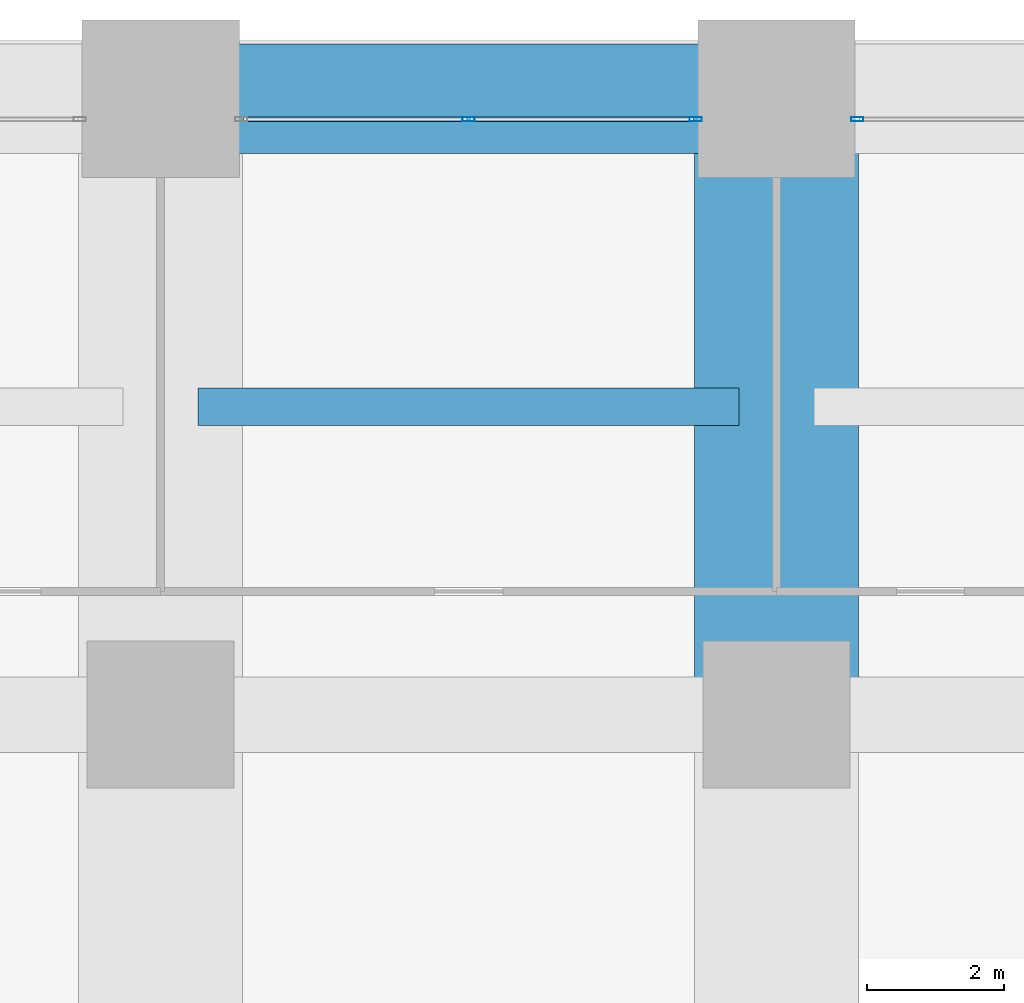
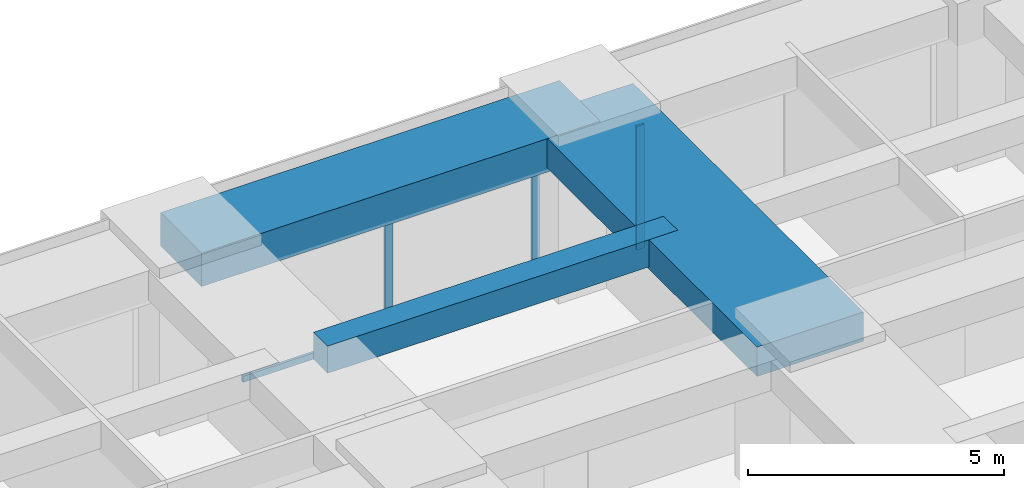
# One storey, part 35 of 44: 4 members, 3 beams, 2 elements without a shape of their own.
"""IFC4 building model written with IfcOpenShell, lengths in metres."""

from ifc_helpers import new_model, si_unit, direction, frame, origin, origin_2d, place, context, subcontext, project, spatial, rectangle, hollow_rectangle, extrude, material, material_profile, profile_set, type_object, element, aggregate, save


model = new_model("IFC4")

# Units and contexts
model_context = context("Model", 3, precision=1e-05, world=origin(), true_north=direction((0.0, 1.0)))
body_context = subcontext(model_context, "Body", "Model", "MODEL_VIEW")
ifc_project = project(units=[si_unit("LENGTHUNIT", "METRE"), si_unit("AREAUNIT", "SQUARE_METRE"), si_unit("VOLUMEUNIT", "CUBIC_METRE"), si_unit("PLANEANGLEUNIT", "RADIAN"), si_unit("MASSUNIT", "GRAM", prefix="KILO")], contexts=[model_context])

# Site, building, storey
site_placement = place(None, origin())
site = spatial("IfcSite", under=ifc_project, at=site_placement, CompositionType="ELEMENT")
building_placement = place(site_placement, origin())
building = spatial("IfcBuilding", under=site, at=building_placement, Name="Zorevar Civic Tower", CompositionType="ELEMENT")
storey_placement = place(building_placement, frame((0.0, 0.0, 63.800048828125)))
storey = spatial("IfcBuildingStorey", under=building, at=storey_placement, Name="L15", CompositionType="ELEMENT", Elevation=63.800048828125)

# Beams
ifc_material_1 = material(Name="Concrete C50/60", Category="concrete")
ifc_material_profile_1 = material_profile(ifc_material_1, rectangle(XDim=2.39990234375, YDim=0.699951171875, at=origin_2d()), Name="RC 2400x700")
ifc_profile_set_1 = profile_set([ifc_material_profile_1], Name="Concrete C50/60")
beam_type_1 = type_object("IfcBeamType", Name="Beam RC 2400x700", PredefinedType="BEAM", material=ifc_profile_set_1)
beam_1_placement = place(storey_placement, frame((45.0, 45.0, 3.39990234375), z_axis=(0.0, 1.0, 0.0), x_axis=(-1.0, 0.0, 0.0)))
element("IfcBeam", 1, at=beam_1_placement, inside=storey, type_object=beam_type_1, Name="Girder L16", PredefinedType="BEAM", context=body_context, shape_type="SweptSolid", body=[
    extrude(rectangle(XDim=2.39990234375, YDim=0.699951171875, at=origin_2d()), origin(), (0.0, 0.0, 1.0), 9.0),
])
ifc_material_2 = material(Name="Concrete C50/60", Category="concrete")
ifc_material_profile_2 = material_profile(ifc_material_2, rectangle(XDim=0.550048828125, YDim=0.64990234375, at=origin_2d()), Name="RC 550x650")
ifc_profile_set_2 = profile_set([ifc_material_profile_2], Name="Concrete C50/60")
beam_type_2 = type_object("IfcBeamType", Name="Beam RC 550x650", PredefinedType="BEAM", material=ifc_profile_set_2)
beam_2_placement = place(storey_placement, frame((36.550048828125, 49.5, 3.425048828125), z_axis=(1.0, 0.0, 0.0), x_axis=(0.0, 1.0, 0.0)))
element("IfcBeam", 2, at=beam_2_placement, inside=storey, type_object=beam_type_2, Name="Secondary beam L16", PredefinedType="BEAM", context=body_context, shape_type="SweptSolid", body=[
    extrude(rectangle(XDim=0.550048828125, YDim=0.64990234375, at=origin_2d()), origin(), (0.0, 0.0, 1.0), 7.89990234375),
])

# Curtain wall, members
ifc_material_3 = material(Name="Dark grey solar-control glass in black aluminium frame", Category="aluminium")
curtain_wall_type = type_object("IfcCurtainWallType", Name="Curtain wall CW2 low zone", PredefinedType="NOTDEFINED", material=ifc_material_3)
curtain_wall_1_placement = place(storey_placement, origin())
curtain_wall_1 = element("IfcCurtainWall", 3, at=curtain_wall_1_placement, inside=storey, type_object=curtain_wall_type, Name="CW2 L15", PredefinedType="NOTDEFINED")
ifc_material_4 = material(Name="Aluminium, black anodised", Category="aluminium")
ifc_material_profile_3 = material_profile(ifc_material_4, hollow_rectangle(XDim=0.06005859375, YDim=0.179931640625, WallThickness=0.00390625, at=origin_2d()), Name="AL 180x60x4")
ifc_profile_set_3 = profile_set([ifc_material_profile_3], Name="Aluminium, black anodised")
member_type_1 = type_object("IfcMemberType", Name="CW2 mullion AL 180x60x4", PredefinedType="MULLION", material=ifc_profile_set_3)
member_1_placement = place(storey_placement, frame((40.5, 53.699951171875, 0.06005859375), z_axis=(0.0, 0.0, 1.0), x_axis=(0.0, 1.0, 0.0)))
member_1 = element("IfcMember", 4, at=member_1_placement, type_object=member_type_1, Name="CW2 mullion 2", PredefinedType="MULLION", context=body_context, shape_type="SweptSolid", body=[
    extrude(hollow_rectangle(XDim=0.06005859375, YDim=0.179931640625, WallThickness=0.00390625, at=origin_2d()), origin(), (0.0, 0.0, 1.0), 2.889892578125),
])
member_2_placement = place(storey_placement, frame((43.820068359375, 53.699951171875, 0.0), z_axis=(0.0, 0.0, 1.0), x_axis=(0.0, 1.0, 0.0)))
member_2 = element("IfcMember", 5, at=member_2_placement, type_object=member_type_1, Name="CW2 mullion 3", PredefinedType="MULLION", context=body_context, shape_type="SweptSolid", body=[
    extrude(hollow_rectangle(XDim=0.06005859375, YDim=0.179931640625, WallThickness=0.00390625, at=origin_2d()), origin(), (0.0, 0.0, 1.0), 2.949951171875),
])

# Curtain wall, member
curtain_wall_2_placement = place(storey_placement, origin())
curtain_wall_2 = element("IfcCurtainWall", 6, at=curtain_wall_2_placement, inside=storey, type_object=curtain_wall_type, Name="CW2 L15", PredefinedType="NOTDEFINED")
member_3_placement = place(storey_placement, frame((46.179931640625, 53.699951171875, 0.0), z_axis=(0.0, 0.0, 1.0), x_axis=(0.0, 1.0, 0.0)))
member_3 = element("IfcMember", 7, at=member_3_placement, type_object=member_type_1, Name="CW2 mullion 1", PredefinedType="MULLION", context=body_context, shape_type="SweptSolid", body=[
    extrude(hollow_rectangle(XDim=0.06005859375, YDim=0.179931640625, WallThickness=0.00390625, at=origin_2d()), origin(), (0.0, 0.0, 1.0), 2.949951171875),
])
aggregate(curtain_wall_2, [member_3])

# Member
ifc_material_5 = material(Name="Aluminium, black anodised", Category="aluminium")
ifc_material_profile_4 = material_profile(ifc_material_5, hollow_rectangle(XDim=0.06005859375, YDim=0.14990234375, WallThickness=0.00390625, at=origin_2d()), Name="AL 150x60x4")
ifc_profile_set_4 = profile_set([ifc_material_profile_4], Name="Aluminium, black anodised")
member_type_2 = type_object("IfcMemberType", Name="CW2 transom AL 150x60x4", PredefinedType="USERDEFINED", material=ifc_profile_set_4)
member_4_placement = place(storey_placement, frame((37.2099609375, 53.699951171875, 0.030029296875), z_axis=(1.0, 0.0, 0.0), x_axis=(0.0, 1.0, 0.0)))
member_4 = element("IfcMember", 8, at=member_4_placement, type_object=member_type_2, Name="CW2 sill transom", ObjectType="TRANSOM", PredefinedType="USERDEFINED", context=body_context, shape_type="SweptSolid", body=[
    extrude(hollow_rectangle(XDim=0.06005859375, YDim=0.14990234375, WallThickness=0.00390625, at=origin_2d()), origin(), (0.0, 0.0, 1.0), 6.580078125),
])

aggregate(curtain_wall_1, [member_1, member_2, member_4])

# Beam
ifc_material_6 = material(Name="Concrete C50/60", Category="concrete")
ifc_material_profile_5 = material_profile(ifc_material_6, rectangle(XDim=1.60009765625, YDim=0.800048828125, at=origin_2d()), Name="RC 1600x800")
ifc_profile_set_5 = profile_set([ifc_material_profile_5], Name="Concrete C50/60")
beam_type_3 = type_object("IfcBeamType", Name="Edge beam RC 1600x800", PredefinedType="SPANDREL", material=ifc_profile_set_5)
beam_3_placement = place(storey_placement, frame((36.0, 54.0, 3.349853515625), z_axis=(1.0, 0.0, 0.0), x_axis=(0.0, 1.0, 0.0)))
element("IfcBeam", 9, at=beam_3_placement, inside=storey, type_object=beam_type_3, Name="Edge beam L16", PredefinedType="SPANDREL", context=body_context, shape_type="SweptSolid", body=[
    extrude(rectangle(XDim=1.60009765625, YDim=0.800048828125, at=origin_2d()), origin(), (0.0, 0.0, 1.0), 9.0),
])

save(model, "model.ifc")
